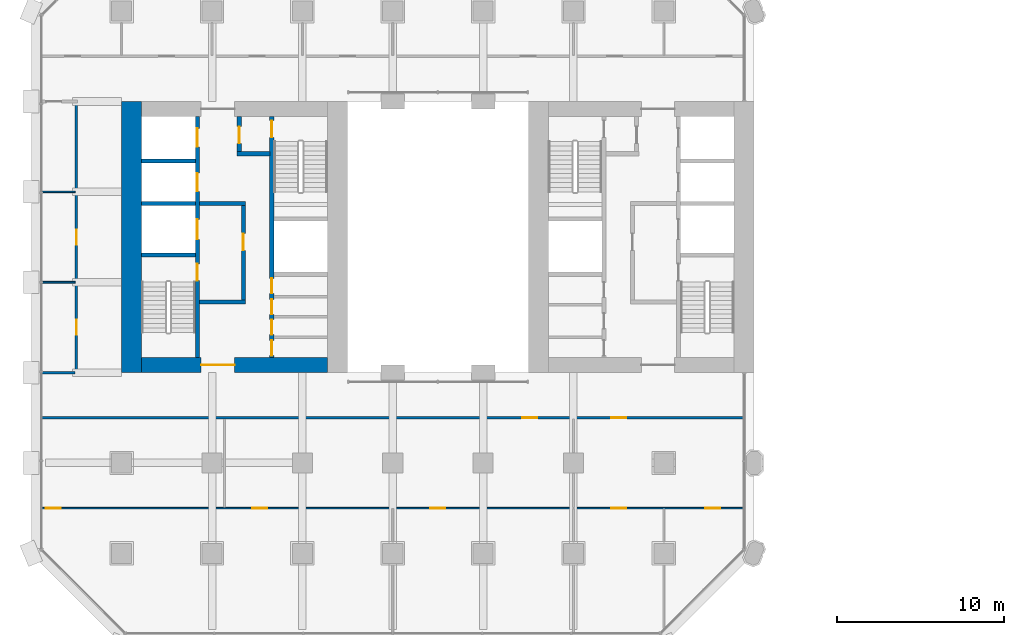
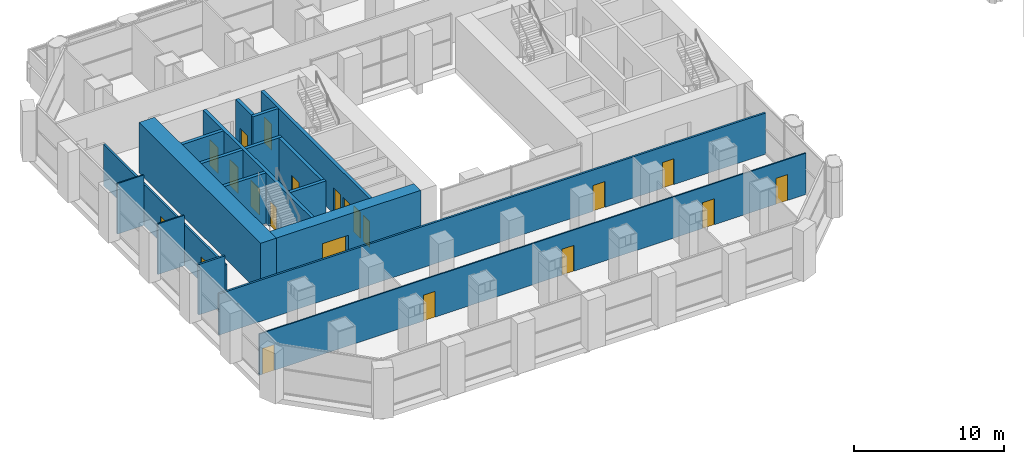
# One storey, part 13 of 23: 21 doors, 18 walls, 21 openings.
"""IFC4 building model written with IfcOpenShell, lengths in metres."""

from ifc_helpers import new_model, si_unit, direction, frame, frame_2d, origin, place, context, subcontext, project, spatial, rectangle, extrude, material, layer, layer_set, type_object, element, fill, save


model = new_model("IFC4")

# Units and contexts
model_context = context("Model", 3, precision=1e-05, world=origin(), true_north=direction((0.0, 1.0)))
body_context = subcontext(model_context, "Body", "Model", "MODEL_VIEW")
ifc_project = project(units=[si_unit("LENGTHUNIT", "METRE"), si_unit("AREAUNIT", "SQUARE_METRE"), si_unit("VOLUMEUNIT", "CUBIC_METRE"), si_unit("PLANEANGLEUNIT", "RADIAN"), si_unit("MASSUNIT", "GRAM", prefix="KILO")], contexts=[model_context])

# Site, building, storey
site_placement = place(None, origin())
site = spatial("IfcSite", under=ifc_project, at=site_placement, CompositionType="ELEMENT")
building_placement = place(site_placement, origin())
building = spatial("IfcBuilding", under=site, at=building_placement, Name="Tabaq Tower and Sports Hall", CompositionType="ELEMENT")
storey_placement = place(building_placement, frame((0.0, 0.0, 24.60009765625)))
storey = spatial("IfcBuildingStorey", under=building, at=storey_placement, Name="L04", CompositionType="ELEMENT", Elevation=24.60009765625)

# Wall
ifc_material_1 = material(Name="Concrete C60/75", Category="concrete")
ifc_layer_1 = layer(ifc_material_1, 1.199951171875)
ifc_layer_set_1 = layer_set([ifc_layer_1], Name="Core wall 1200 Concrete C60/75")
wall_type_1 = type_object("IfcWallType", Name="Core wall 1200 Concrete C60/75", PredefinedType="SOLIDWALL", material=ifc_layer_set_1)
wall_1_placement = place(storey_placement, frame((6.0, 16.199951171875, 0.0), z_axis=(0.0, 0.0, 1.0), x_axis=(0.0, 1.0, 0.0)))
element("IfcWall", 1, at=wall_1_placement, inside=storey, type_object=wall_type_1, Name="Core wall W L04", PredefinedType="SOLIDWALL", context=body_context, shape_type="SweptSolid", body=[
    extrude(rectangle(XDim=16.199951171875, YDim=1.199951171875, at=frame_2d((8.10009765625, 0.0))), origin(), (0.0, 0.0, 1.0), 4.099853515625),
])

# Wall, opening, door
ifc_material_2 = material(Name="Concrete C60/75", Category="concrete")
ifc_layer_2 = layer(ifc_material_2, 0.89990234375)
ifc_layer_set_2 = layer_set([ifc_layer_2], Name="Core wall 900 Concrete C60/75")
wall_type_2 = type_object("IfcWallType", Name="Core wall 900 Concrete C60/75", PredefinedType="SOLIDWALL", material=ifc_layer_set_2)
wall_2_placement = place(storey_placement, frame((17.699951171875, 16.64990234375, 0.0), z_axis=(0.0, 0.0, 1.0), x_axis=(-1.0, 0.0, 0.0)))
wall_2 = element("IfcWall", 2, at=wall_2_placement, inside=storey, type_object=wall_type_2, Name="Core wall W L04", PredefinedType="SOLIDWALL", context=body_context, shape_type="SweptSolid", body=[
    extrude(rectangle(XDim=11.099853515625, YDim=0.89990234375, at=frame_2d((5.5498046875, 0.0))), origin(), (0.0, 0.0, 1.0), 4.099853515625),
])
opening_1_placement = place(wall_2_placement, frame((5.550048828125, 0.0, 0.0)))
opening_1 = element("IfcOpeningElement", 3, at=opening_1_placement, cuts=wall_2, Name="Opening PD-WL04-01", PredefinedType="OPENING", context=body_context, shape_type="SweptSolid", body=[
    extrude(rectangle(XDim=2.0, YDim=2.39990234375, at=frame_2d((1.0, 1.199951171875))), frame((0.0, 0.449951171875, 0.0), z_axis=(0.0, -1.0, 0.0), x_axis=(1.0, 0.0, 0.0)), (0.0, 0.0, 1.0), 0.89990234375),
])
ifc_material_3 = material(Name="Steel fire door", Category="steel")
door_type_1 = type_object("IfcDoorType", Name="Core entrance door 2000", OperationType="DOUBLE_DOOR_SINGLE_SWING", PredefinedType="DOOR", material=ifc_material_3)
door_1_placement = place(opening_1_placement, origin())
door_1 = element("IfcDoor", 4, at=door_1_placement, inside=storey, type_object=door_type_1, Name="Core entrance south W L04", OperationType="DOUBLE_DOOR_SINGLE_SWING", OverallHeight=2.39990234375, OverallWidth=2.0, PredefinedType="DOOR", context=body_context, shape_type="SweptSolid", body=[
    extrude(rectangle(XDim=2.0, YDim=2.39990234375, at=frame_2d((1.0, 1.199951171875))), frame((0.0, 0.02490234375, 0.0), z_axis=(0.0, -1.0, 0.0), x_axis=(1.0, 0.0, 0.0)), (0.0, 0.0, 1.0), 0.050048828125),
])
fill(opening_1, door_1)

# Wall, openings, doors
ifc_material_4 = material(Name="Gypsum board on steel studs", Category="steel")
ifc_layer_3 = layer(ifc_material_4, 0.10009765625)
ifc_layer_set_3 = layer_set([ifc_layer_3], Name="Partition 100 Gypsum board")
wall_type_3 = type_object("IfcWallType", Name="Partition 100 Gypsum board", PredefinedType="PARTITIONING", material=ifc_layer_set_3)
wall_3_placement = place(storey_placement, frame((0.60009765625, 8.10009765625, 0.0), z_axis=(0.0, 0.0, 1.0), x_axis=(1.0, 0.0, 0.0)))
wall_3 = element("IfcWall", 5, at=wall_3_placement, inside=storey, type_object=wall_type_3, Name="Partition wall L04", PredefinedType="PARTITIONING", context=body_context, shape_type="SweptSolid", body=[
    extrude(rectangle(XDim=42.0, YDim=0.10009765625, at=frame_2d((21.0, 0.0))), origin(), (0.0, 0.0, 1.0), 3.349853515625),
])
opening_2_placement = place(wall_3_placement, frame((0.25, 0.0, 0.0)))
opening_2 = element("IfcOpeningElement", 6, at=opening_2_placement, cuts=wall_3, Name="Opening L04-011", PredefinedType="OPENING", context=body_context, shape_type="SweptSolid", body=[
    extrude(rectangle(XDim=0.89990234375, YDim=2.10009765625, at=frame_2d((0.449951171875, 1.050048828125))), frame((0.0, 0.050048828125, 0.0), z_axis=(0.0, -1.0, 0.0), x_axis=(1.0, 0.0, 0.0)), (0.0, 0.0, 1.0), 0.10009765625),
])
opening_3_placement = place(wall_3_placement, frame((23.25, 0.0, 0.0)))
opening_3 = element("IfcOpeningElement", 7, at=opening_3_placement, cuts=wall_3, Name="Opening L04-012", PredefinedType="OPENING", context=body_context, shape_type="SweptSolid", body=[
    extrude(rectangle(XDim=0.89990234375, YDim=2.10009765625, at=frame_2d((0.449951171875, 1.050048828125))), frame((0.0, 0.050048828125, 0.0), z_axis=(0.0, -1.0, 0.0), x_axis=(1.0, 0.0, 0.0)), (0.0, 0.0, 1.0), 0.10009765625),
])
opening_4_placement = place(wall_3_placement, frame((34.050048828125, 0.0, 0.0)))
opening_4 = element("IfcOpeningElement", 8, at=opening_4_placement, cuts=wall_3, Name="Opening L04-013", PredefinedType="OPENING", context=body_context, shape_type="SweptSolid", body=[
    extrude(rectangle(XDim=0.89990234375, YDim=2.10009765625, at=frame_2d((0.449951171875, 1.050048828125))), frame((0.0, 0.050048828125, 0.0), z_axis=(0.0, -1.0, 0.0), x_axis=(1.0, 0.0, 0.0)), (0.0, 0.0, 1.0), 0.10009765625),
])
opening_5_placement = place(wall_3_placement, frame((39.675048828125, 0.0, 0.0)))
opening_5 = element("IfcOpeningElement", 9, at=opening_5_placement, cuts=wall_3, Name="Opening L04-014", PredefinedType="OPENING", context=body_context, shape_type="SweptSolid", body=[
    extrude(rectangle(XDim=0.89990234375, YDim=2.10009765625, at=frame_2d((0.449951171875, 1.050048828125))), frame((0.0, 0.050048828125, 0.0), z_axis=(0.0, -1.0, 0.0), x_axis=(1.0, 0.0, 0.0)), (0.0, 0.0, 1.0), 0.10009765625),
])
opening_6_placement = place(wall_3_placement, frame((12.59375, 0.0, 0.0)))
opening_6 = element("IfcOpeningElement", 10, at=opening_6_placement, cuts=wall_3, Name="Opening L04-015", PredefinedType="OPENING", context=body_context, shape_type="SweptSolid", body=[
    extrude(rectangle(XDim=0.89990234375, YDim=2.10009765625, at=frame_2d((0.449951171875, 1.050048828125))), frame((0.0, 0.050048828125, 0.0), z_axis=(0.0, -1.0, 0.0), x_axis=(1.0, 0.0, 0.0)), (0.0, 0.0, 1.0), 0.10009765625),
])
ifc_material_5 = material(Name="Timber leaf in steel frame", Category="steel")
door_type_2 = type_object("IfcDoorType", Name="Internal door 900 left hand", OperationType="SINGLE_SWING_LEFT", PredefinedType="DOOR", material=ifc_material_5)
door_2_placement = place(opening_3_placement, origin())
door_2 = element("IfcDoor", 11, at=door_2_placement, inside=storey, type_object=door_type_2, Name="Internal door L04-012", OperationType="SINGLE_SWING_LEFT", OverallHeight=2.10009765625, OverallWidth=0.89990234375, PredefinedType="DOOR", context=body_context, shape_type="SweptSolid", body=[
    extrude(rectangle(XDim=0.89990234375, YDim=2.10009765625, at=frame_2d((0.449951171875, 1.050048828125))), frame((0.0, 0.02490234375, 0.0), z_axis=(0.0, -1.0, 0.0), x_axis=(1.0, 0.0, 0.0)), (0.0, 0.0, 1.0), 0.050048828125),
])
fill(opening_3, door_2)
door_3_placement = place(opening_4_placement, origin())
door_3 = element("IfcDoor", 12, at=door_3_placement, inside=storey, type_object=door_type_2, Name="Internal door L04-013", OperationType="SINGLE_SWING_LEFT", OverallHeight=2.10009765625, OverallWidth=0.89990234375, PredefinedType="DOOR", context=body_context, shape_type="SweptSolid", body=[
    extrude(rectangle(XDim=0.89990234375, YDim=2.10009765625, at=frame_2d((0.449951171875, 1.050048828125))), frame((0.0, 0.02490234375, 0.0), z_axis=(0.0, -1.0, 0.0), x_axis=(1.0, 0.0, 0.0)), (0.0, 0.0, 1.0), 0.050048828125),
])
fill(opening_4, door_3)
door_4_placement = place(opening_5_placement, origin())
door_4 = element("IfcDoor", 13, at=door_4_placement, inside=storey, type_object=door_type_2, Name="Internal door L04-014", OperationType="SINGLE_SWING_LEFT", OverallHeight=2.10009765625, OverallWidth=0.89990234375, PredefinedType="DOOR", context=body_context, shape_type="SweptSolid", body=[
    extrude(rectangle(XDim=0.89990234375, YDim=2.10009765625, at=frame_2d((0.449951171875, 1.050048828125))), frame((0.0, 0.02490234375, 0.0), z_axis=(0.0, -1.0, 0.0), x_axis=(1.0, 0.0, 0.0)), (0.0, 0.0, 1.0), 0.050048828125),
])
fill(opening_5, door_4)
door_5_placement = place(opening_6_placement, origin())
door_5 = element("IfcDoor", 14, at=door_5_placement, inside=storey, type_object=door_type_2, Name="Internal door L04-015", OperationType="SINGLE_SWING_LEFT", OverallHeight=2.10009765625, OverallWidth=0.89990234375, PredefinedType="DOOR", context=body_context, shape_type="SweptSolid", body=[
    extrude(rectangle(XDim=0.89990234375, YDim=2.10009765625, at=frame_2d((0.449951171875, 1.050048828125))), frame((0.0, 0.02490234375, 0.0), z_axis=(0.0, -1.0, 0.0), x_axis=(1.0, 0.0, 0.0)), (0.0, 0.0, 1.0), 0.050048828125),
])
fill(opening_6, door_5)
ifc_material_6 = material(Name="Timber leaf in steel frame", Category="steel")
door_type_3 = type_object("IfcDoorType", Name="Internal door 900 right hand", OperationType="SINGLE_SWING_RIGHT", PredefinedType="DOOR", material=ifc_material_6)
door_6_placement = place(opening_2_placement, origin())
door_6 = element("IfcDoor", 15, at=door_6_placement, inside=storey, type_object=door_type_3, Name="Internal door L04-011", OperationType="SINGLE_SWING_RIGHT", OverallHeight=2.10009765625, OverallWidth=0.89990234375, PredefinedType="DOOR", context=body_context, shape_type="SweptSolid", body=[
    extrude(rectangle(XDim=0.89990234375, YDim=2.10009765625, at=frame_2d((0.449951171875, 1.050048828125))), frame((0.0, 0.02490234375, 0.0), z_axis=(0.0, -1.0, 0.0), x_axis=(1.0, 0.0, 0.0)), (0.0, 0.0, 1.0), 0.050048828125),
])
fill(opening_2, door_6)

# Walls
for number, where, z_axis, x_axis, name in (
    (16, (2.625, 21.60009765625, 0.0), (0.0, 0.0, 1.0), (-1.0, 0.0, 0.0), "Partition wall L04"),
    (17, (2.625, 27.0, 0.0), (0.0, 0.0, 1.0), (-1.0, 0.0, 0.0), "Partition wall L04"),
):
    element("IfcWall", number, at=place(storey_placement, frame(where, z_axis=z_axis, x_axis=x_axis)), inside=storey, type_object=wall_type_3, Name=name, PredefinedType="PARTITIONING", context=body_context, shape_type="SweptSolid", body=[
        extrude(rectangle(XDim=2.02490234375, YDim=0.10009765625, at=frame_2d((1.012451171875, 0.0))), origin(), (0.0, 0.0, 1.0), 4.099853515625),
    ])

# Wall, openings, doors
ifc_material_7 = material(Name="Blockwork", Category="masonry")
ifc_layer_4 = layer(ifc_material_7, 0.14990234375)
ifc_layer_set_4 = layer_set([ifc_layer_4], Name="Separating wall 150 Blockwork")
wall_type_4 = type_object("IfcWallType", Name="Separating wall 150 Blockwork", PredefinedType="PARTITIONING", material=ifc_layer_set_4)
wall_4_placement = place(storey_placement, frame((2.699951171875, 32.324951171875, 0.0), z_axis=(0.0, 0.0, 1.0), x_axis=(0.0, -1.0, 0.0)))
wall_4 = element("IfcWall", 18, at=wall_4_placement, inside=storey, type_object=wall_type_4, Name="Separating wall L04", PredefinedType="PARTITIONING", context=body_context, shape_type="SweptSolid", body=[
    extrude(rectangle(XDim=16.199951171875, YDim=0.14990234375, at=frame_2d((8.10009765625, 0.0))), origin(), (0.0, 0.0, 1.0), 3.349853515625),
])
opening_7_placement = place(wall_4_placement, frame((12.97509765625, 0.0, 0.0)))
opening_7 = element("IfcOpeningElement", 19, at=opening_7_placement, cuts=wall_4, Name="Opening L04-008", PredefinedType="OPENING", context=body_context, shape_type="SweptSolid", body=[
    extrude(rectangle(XDim=0.89990234375, YDim=2.10009765625, at=frame_2d((0.449951171875, 1.050048828125))), frame((0.0, 0.074951171875, 0.0), z_axis=(0.0, -1.0, 0.0), x_axis=(1.0, 0.0, 0.0)), (0.0, 0.0, 1.0), 0.14990234375),
])
opening_8_placement = place(wall_4_placement, frame((7.574951171875, 0.0, 0.0)))
opening_8 = element("IfcOpeningElement", 20, at=opening_8_placement, cuts=wall_4, Name="Opening L04-009", PredefinedType="OPENING", context=body_context, shape_type="SweptSolid", body=[
    extrude(rectangle(XDim=0.89990234375, YDim=2.10009765625, at=frame_2d((0.449951171875, 1.050048828125))), frame((0.0, 0.074951171875, 0.0), z_axis=(0.0, -1.0, 0.0), x_axis=(1.0, 0.0, 0.0)), (0.0, 0.0, 1.0), 0.14990234375),
])
door_7_placement = place(opening_7_placement, origin())
door_7 = element("IfcDoor", 21, at=door_7_placement, inside=storey, type_object=door_type_3, Name="Internal door L04-008", OperationType="SINGLE_SWING_RIGHT", OverallHeight=2.10009765625, OverallWidth=0.89990234375, PredefinedType="DOOR", context=body_context, shape_type="SweptSolid", body=[
    extrude(rectangle(XDim=0.89990234375, YDim=2.10009765625, at=frame_2d((0.449951171875, 1.050048828125))), frame((0.0, 0.02490234375, 0.0), z_axis=(0.0, -1.0, 0.0), x_axis=(1.0, 0.0, 0.0)), (0.0, 0.0, 1.0), 0.050048828125),
])
fill(opening_7, door_7)
door_8_placement = place(opening_8_placement, origin())
door_8 = element("IfcDoor", 22, at=door_8_placement, inside=storey, type_object=door_type_3, Name="Internal door L04-009", OperationType="SINGLE_SWING_RIGHT", OverallHeight=2.10009765625, OverallWidth=0.89990234375, PredefinedType="DOOR", context=body_context, shape_type="SweptSolid", body=[
    extrude(rectangle(XDim=0.89990234375, YDim=2.10009765625, at=frame_2d((0.449951171875, 1.050048828125))), frame((0.0, 0.02490234375, 0.0), z_axis=(0.0, -1.0, 0.0), x_axis=(1.0, 0.0, 0.0)), (0.0, 0.0, 1.0), 0.050048828125),
])
fill(opening_8, door_8)

# Wall
wall_5_placement = place(storey_placement, frame((2.625, 16.199951171875, 0.0), z_axis=(0.0, 0.0, 1.0), x_axis=(-1.0, 0.0, 0.0)))
element("IfcWall", 23, at=wall_5_placement, inside=storey, type_object=wall_type_4, Name="Separating wall L04", PredefinedType="PARTITIONING", context=body_context, shape_type="SweptSolid", body=[
    extrude(rectangle(XDim=2.02490234375, YDim=0.14990234375, at=frame_2d((1.012451171875, 0.0))), origin(), (0.0, 0.0, 1.0), 4.099853515625),
])

# Wall, openings, doors
wall_6_placement = place(storey_placement, frame((0.60009765625, 13.5, 0.0), z_axis=(0.0, 0.0, 1.0), x_axis=(1.0, 0.0, 0.0)))
wall_6 = element("IfcWall", 24, at=wall_6_placement, inside=storey, type_object=wall_type_4, Name="Separating wall L04", PredefinedType="PARTITIONING", context=body_context, shape_type="SweptSolid", body=[
    extrude(rectangle(XDim=42.0, YDim=0.14990234375, at=frame_2d((21.0, 0.0))), origin(), (0.0, 0.0, 1.0), 3.349853515625),
])
opening_9_placement = place(wall_6_placement, frame((28.74365234375, 0.0, 0.0)))
opening_9 = element("IfcOpeningElement", 25, at=opening_9_placement, cuts=wall_6, Name="Opening L04-016", PredefinedType="OPENING", context=body_context, shape_type="SweptSolid", body=[
    extrude(rectangle(XDim=0.89990234375, YDim=2.10009765625, at=frame_2d((0.449951171875, 1.050048828125))), frame((0.0, 0.074951171875, 0.0), z_axis=(0.0, -1.0, 0.0), x_axis=(1.0, 0.0, 0.0)), (0.0, 0.0, 1.0), 0.14990234375),
])
opening_10_placement = place(wall_6_placement, frame((34.050048828125, 0.0, 0.0)))
opening_10 = element("IfcOpeningElement", 26, at=opening_10_placement, cuts=wall_6, Name="Opening L04-017", PredefinedType="OPENING", context=body_context, shape_type="SweptSolid", body=[
    extrude(rectangle(XDim=0.89990234375, YDim=2.10009765625, at=frame_2d((0.449951171875, 1.050048828125))), frame((0.0, 0.074951171875, 0.0), z_axis=(0.0, -1.0, 0.0), x_axis=(1.0, 0.0, 0.0)), (0.0, 0.0, 1.0), 0.14990234375),
])
ifc_material_8 = material(Name="Steel fire door", Category="steel")
door_type_4 = type_object("IfcDoorType", Name="Entrance door 900 right hand", OperationType="SINGLE_SWING_RIGHT", PredefinedType="DOOR", material=ifc_material_8)
door_9_placement = place(opening_9_placement, origin())
door_9 = element("IfcDoor", 27, at=door_9_placement, inside=storey, type_object=door_type_4, Name="Entrance door L04-016", OperationType="SINGLE_SWING_RIGHT", OverallHeight=2.10009765625, OverallWidth=0.89990234375, PredefinedType="DOOR", context=body_context, shape_type="SweptSolid", body=[
    extrude(rectangle(XDim=0.89990234375, YDim=2.10009765625, at=frame_2d((0.449951171875, 1.050048828125))), frame((0.0, 0.02490234375, 0.0), z_axis=(0.0, -1.0, 0.0), x_axis=(1.0, 0.0, 0.0)), (0.0, 0.0, 1.0), 0.050048828125),
])
fill(opening_9, door_9)
door_10_placement = place(opening_10_placement, origin())
door_10 = element("IfcDoor", 28, at=door_10_placement, inside=storey, type_object=door_type_4, Name="Entrance door L04-017", OperationType="SINGLE_SWING_RIGHT", OverallHeight=2.10009765625, OverallWidth=0.89990234375, PredefinedType="DOOR", context=body_context, shape_type="SweptSolid", body=[
    extrude(rectangle(XDim=0.89990234375, YDim=2.10009765625, at=frame_2d((0.449951171875, 1.050048828125))), frame((0.0, 0.02490234375, 0.0), z_axis=(0.0, -1.0, 0.0), x_axis=(1.0, 0.0, 0.0)), (0.0, 0.0, 1.0), 0.050048828125),
])
fill(opening_10, door_10)

ifc_material_9 = material(Name="Concrete C40/50", Category="concrete")
ifc_layer_5 = layer(ifc_material_9, 0.25)
ifc_layer_set_5 = layer_set([ifc_layer_5], Name="Shaft and stair wall 250 Concrete C40/50")
wall_type_5 = type_object("IfcWallType", Name="Shaft and stair wall 250 Concrete C40/50", PredefinedType="SOLIDWALL", material=ifc_layer_set_5)
wall_7_placement = place(storey_placement, frame((9.925048828125, 17.10009765625, 0.0), z_axis=(0.0, 0.0, 1.0), x_axis=(0.0, 1.0, 0.0)))
wall_7 = element("IfcWall", 29, at=wall_7_placement, inside=storey, type_object=wall_type_5, Name="Shaft wall W L04", PredefinedType="SOLIDWALL", context=body_context, shape_type="SweptSolid", body=[
    extrude(rectangle(XDim=14.39990234375, YDim=0.25, at=frame_2d((7.199951171875, 0.0))), origin(), (0.0, 0.0, 1.0), 4.099853515625),
])
opening_11_placement = place(wall_7_placement, frame((4.60009765625, 0.0, 0.0)))
opening_11 = element("IfcOpeningElement", 30, at=opening_11_placement, cuts=wall_7, Name="Opening SD-WL04-03", PredefinedType="OPENING", context=body_context, shape_type="SweptSolid", body=[
    extrude(rectangle(XDim=1.0, YDim=2.10009765625, at=frame_2d((0.5, 1.050048828125))), frame((0.0, 0.125, 0.0), z_axis=(0.0, -1.0, 0.0), x_axis=(1.0, 0.0, 0.0)), (0.0, 0.0, 1.0), 0.25),
])
opening_12_placement = place(wall_7_placement, frame((7.0625, 0.0, 0.0)))
opening_12 = element("IfcOpeningElement", 31, at=opening_12_placement, cuts=wall_7, Name="Opening LD-FF1-L04", PredefinedType="OPENING", context=body_context, shape_type="SweptSolid", body=[
    extrude(rectangle(XDim=1.199951171875, YDim=2.10009765625, at=frame_2d((0.60009765625, 1.050048828125))), frame((0.0, 0.125, 0.0), z_axis=(0.0, -1.0, 0.0), x_axis=(1.0, 0.0, 0.0)), (0.0, 0.0, 1.0), 0.25),
])
opening_13_placement = place(wall_7_placement, frame((9.925048828125, 0.0, 0.0)))
opening_13 = element("IfcOpeningElement", 32, at=opening_13_placement, cuts=wall_7, Name="Opening LD-LR1-L04", PredefinedType="OPENING", context=body_context, shape_type="SweptSolid", body=[
    extrude(rectangle(XDim=1.10009765625, YDim=2.10009765625, at=frame_2d((0.550048828125, 1.050048828125))), frame((0.0, 0.125, 0.0), z_axis=(0.0, -1.0, 0.0), x_axis=(1.0, 0.0, 0.0)), (0.0, 0.0, 1.0), 0.25),
])
opening_14_placement = place(wall_7_placement, frame((12.58740234375, 0.0, 0.0)))
opening_14 = element("IfcOpeningElement", 33, at=opening_14_placement, cuts=wall_7, Name="Opening LD-LR2-L04", PredefinedType="OPENING", context=body_context, shape_type="SweptSolid", body=[
    extrude(rectangle(XDim=1.10009765625, YDim=2.10009765625, at=frame_2d((0.550048828125, 1.050048828125))), frame((0.0, 0.125, 0.0), z_axis=(0.0, -1.0, 0.0), x_axis=(1.0, 0.0, 0.0)), (0.0, 0.0, 1.0), 0.25),
])
ifc_material_10 = material(Name="Stainless steel", Category="steel")
door_type_5 = type_object("IfcDoorType", Name="Lift landing door 1100", OperationType="DOUBLE_DOOR_SLIDING", PredefinedType="DOOR", material=ifc_material_10)
door_11_placement = place(opening_13_placement, origin())
door_11 = element("IfcDoor", 34, at=door_11_placement, inside=storey, type_object=door_type_5, Name="Lift landing door LR1 W L04", OperationType="DOUBLE_DOOR_SLIDING", OverallHeight=2.10009765625, OverallWidth=1.10009765625, PredefinedType="DOOR", context=body_context, shape_type="SweptSolid", body=[
    extrude(rectangle(XDim=1.10009765625, YDim=2.10009765625, at=frame_2d((0.550048828125, 1.050048828125))), frame((0.0, 0.02490234375, 0.0), z_axis=(0.0, -1.0, 0.0), x_axis=(1.0, 0.0, 0.0)), (0.0, 0.0, 1.0), 0.050048828125),
])
fill(opening_13, door_11)
door_12_placement = place(opening_14_placement, origin())
door_12 = element("IfcDoor", 35, at=door_12_placement, inside=storey, type_object=door_type_5, Name="Lift landing door LR2 W L04", OperationType="DOUBLE_DOOR_SLIDING", OverallHeight=2.10009765625, OverallWidth=1.10009765625, PredefinedType="DOOR", context=body_context, shape_type="SweptSolid", body=[
    extrude(rectangle(XDim=1.10009765625, YDim=2.10009765625, at=frame_2d((0.550048828125, 1.050048828125))), frame((0.0, 0.02490234375, 0.0), z_axis=(0.0, -1.0, 0.0), x_axis=(1.0, 0.0, 0.0)), (0.0, 0.0, 1.0), 0.050048828125),
])
fill(opening_14, door_12)
ifc_material_11 = material(Name="Stainless steel", Category="steel")
door_type_6 = type_object("IfcDoorType", Name="Lift landing door 1200", OperationType="DOUBLE_DOOR_SLIDING", PredefinedType="DOOR", material=ifc_material_11)
door_13_placement = place(opening_12_placement, origin())
door_13 = element("IfcDoor", 36, at=door_13_placement, inside=storey, type_object=door_type_6, Name="Lift landing door FF1 W L04", OperationType="DOUBLE_DOOR_SLIDING", OverallHeight=2.10009765625, OverallWidth=1.199951171875, PredefinedType="DOOR", context=body_context, shape_type="SweptSolid", body=[
    extrude(rectangle(XDim=1.199951171875, YDim=2.10009765625, at=frame_2d((0.60009765625, 1.050048828125))), frame((0.0, 0.02490234375, 0.0), z_axis=(0.0, -1.0, 0.0), x_axis=(1.0, 0.0, 0.0)), (0.0, 0.0, 1.0), 0.050048828125),
])
fill(opening_12, door_13)
ifc_material_12 = material(Name="Steel fire door", Category="steel")
door_type_7 = type_object("IfcDoorType", Name="Stair door 1000", OperationType="SINGLE_SWING_LEFT", PredefinedType="DOOR", material=ifc_material_12)
door_14_placement = place(opening_11_placement, origin())
door_14 = element("IfcDoor", 37, at=door_14_placement, inside=storey, type_object=door_type_7, Name="Stair door ST1 W L04", OperationType="SINGLE_SWING_LEFT", OverallHeight=2.10009765625, OverallWidth=1.0, PredefinedType="DOOR", context=body_context, shape_type="SweptSolid", body=[
    extrude(rectangle(XDim=1.0, YDim=2.10009765625, at=frame_2d((0.5, 1.050048828125))), frame((0.0, 0.02490234375, 0.0), z_axis=(0.0, -1.0, 0.0), x_axis=(1.0, 0.0, 0.0)), (0.0, 0.0, 1.0), 0.050048828125),
])
fill(opening_11, door_14)

wall_8_placement = place(storey_placement, frame((14.375, 17.10009765625, 0.0), z_axis=(0.0, 0.0, 1.0), x_axis=(0.0, 1.0, 0.0)))
wall_8 = element("IfcWall", 38, at=wall_8_placement, inside=storey, type_object=wall_type_5, Name="Shaft wall W L04", PredefinedType="SOLIDWALL", context=body_context, shape_type="SweptSolid", body=[
    extrude(rectangle(XDim=14.39990234375, YDim=0.25, at=frame_2d((7.199951171875, 0.0))), origin(), (0.0, 0.0, 1.0), 4.099853515625),
])
opening_15_placement = place(wall_8_placement, frame((13.14990234375, 0.0, 0.0)))
opening_15 = element("IfcOpeningElement", 39, at=opening_15_placement, cuts=wall_8, Name="Opening SD-WL04-05", PredefinedType="OPENING", context=body_context, shape_type="SweptSolid", body=[
    extrude(rectangle(XDim=1.0, YDim=2.10009765625, at=frame_2d((0.5, 1.050048828125))), frame((0.0, 0.125, 0.0), z_axis=(0.0, -1.0, 0.0), x_axis=(1.0, 0.0, 0.0)), (0.0, 0.0, 1.0), 0.25),
])
opening_16_placement = place(wall_8_placement, frame((0.118408203125, 0.0, 0.0)))
opening_16 = element("IfcOpeningElement", 40, at=opening_16_placement, cuts=wall_8, Name="Opening RD-WL04-10", PredefinedType="OPENING", context=body_context, shape_type="SweptSolid", body=[
    extrude(rectangle(XDim=0.89990234375, YDim=2.10009765625, at=frame_2d((0.449951171875, 1.050048828125))), frame((0.0, 0.125, 0.0), z_axis=(0.0, -1.0, 0.0), x_axis=(1.0, 0.0, 0.0)), (0.0, 0.0, 1.0), 0.25),
])
opening_17_placement = place(wall_8_placement, frame((1.368408203125, 0.0, 0.0)))
opening_17 = element("IfcOpeningElement", 41, at=opening_17_placement, cuts=wall_8, Name="Opening RD-WL04-11", PredefinedType="OPENING", context=body_context, shape_type="SweptSolid", body=[
    extrude(rectangle(XDim=0.89990234375, YDim=2.10009765625, at=frame_2d((0.449951171875, 1.050048828125))), frame((0.0, 0.125, 0.0), z_axis=(0.0, -1.0, 0.0), x_axis=(1.0, 0.0, 0.0)), (0.0, 0.0, 1.0), 0.25),
])
opening_18_placement = place(wall_8_placement, frame((2.5810546875, 0.0, 0.0)))
opening_18 = element("IfcOpeningElement", 42, at=opening_18_placement, cuts=wall_8, Name="Opening RD-WL04-12", PredefinedType="OPENING", context=body_context, shape_type="SweptSolid", body=[
    extrude(rectangle(XDim=0.89990234375, YDim=2.10009765625, at=frame_2d((0.449951171875, 1.050048828125))), frame((0.0, 0.125, 0.0), z_axis=(0.0, -1.0, 0.0), x_axis=(1.0, 0.0, 0.0)), (0.0, 0.0, 1.0), 0.25),
])
opening_19_placement = place(wall_8_placement, frame((3.8310546875, 0.0, 0.0)))
opening_19 = element("IfcOpeningElement", 43, at=opening_19_placement, cuts=wall_8, Name="Opening RD-WL04-13", PredefinedType="OPENING", context=body_context, shape_type="SweptSolid", body=[
    extrude(rectangle(XDim=0.89990234375, YDim=2.10009765625, at=frame_2d((0.449951171875, 1.050048828125))), frame((0.0, 0.125, 0.0), z_axis=(0.0, -1.0, 0.0), x_axis=(1.0, 0.0, 0.0)), (0.0, 0.0, 1.0), 0.25),
])
ifc_material_13 = material(Name="Steel fire door", Category="steel")
door_type_8 = type_object("IfcDoorType", Name="Core room door 900", OperationType="SINGLE_SWING_LEFT", PredefinedType="DOOR", material=ifc_material_13)
door_15_placement = place(opening_16_placement, origin())
door_15 = element("IfcDoor", 44, at=door_15_placement, inside=storey, type_object=door_type_8, Name="Door Cleaner's Store W L04", OperationType="SINGLE_SWING_LEFT", OverallHeight=2.10009765625, OverallWidth=0.89990234375, PredefinedType="DOOR", context=body_context, shape_type="SweptSolid", body=[
    extrude(rectangle(XDim=0.89990234375, YDim=2.10009765625, at=frame_2d((0.449951171875, 1.050048828125))), frame((0.0, 0.02490234375, 0.0), z_axis=(0.0, -1.0, 0.0), x_axis=(1.0, 0.0, 0.0)), (0.0, 0.0, 1.0), 0.050048828125),
])
fill(opening_16, door_15)
door_16_placement = place(opening_17_placement, origin())
door_16 = element("IfcDoor", 45, at=door_16_placement, inside=storey, type_object=door_type_8, Name="Door Gents WC W L04", OperationType="SINGLE_SWING_LEFT", OverallHeight=2.10009765625, OverallWidth=0.89990234375, PredefinedType="DOOR", context=body_context, shape_type="SweptSolid", body=[
    extrude(rectangle(XDim=0.89990234375, YDim=2.10009765625, at=frame_2d((0.449951171875, 1.050048828125))), frame((0.0, 0.02490234375, 0.0), z_axis=(0.0, -1.0, 0.0), x_axis=(1.0, 0.0, 0.0)), (0.0, 0.0, 1.0), 0.050048828125),
])
fill(opening_17, door_16)
door_17_placement = place(opening_18_placement, origin())
door_17 = element("IfcDoor", 46, at=door_17_placement, inside=storey, type_object=door_type_8, Name="Door Ladies WC W L04", OperationType="SINGLE_SWING_LEFT", OverallHeight=2.10009765625, OverallWidth=0.89990234375, PredefinedType="DOOR", context=body_context, shape_type="SweptSolid", body=[
    extrude(rectangle(XDim=0.89990234375, YDim=2.10009765625, at=frame_2d((0.449951171875, 1.050048828125))), frame((0.0, 0.02490234375, 0.0), z_axis=(0.0, -1.0, 0.0), x_axis=(1.0, 0.0, 0.0)), (0.0, 0.0, 1.0), 0.050048828125),
])
fill(opening_18, door_17)
door_18_placement = place(opening_19_placement, origin())
door_18 = element("IfcDoor", 47, at=door_18_placement, inside=storey, type_object=door_type_8, Name="Door Accessible WC W L04", OperationType="SINGLE_SWING_LEFT", OverallHeight=2.10009765625, OverallWidth=0.89990234375, PredefinedType="DOOR", context=body_context, shape_type="SweptSolid", body=[
    extrude(rectangle(XDim=0.89990234375, YDim=2.10009765625, at=frame_2d((0.449951171875, 1.050048828125))), frame((0.0, 0.02490234375, 0.0), z_axis=(0.0, -1.0, 0.0), x_axis=(1.0, 0.0, 0.0)), (0.0, 0.0, 1.0), 0.050048828125),
])
fill(opening_19, door_18)
door_19_placement = place(opening_15_placement, origin())
door_19 = element("IfcDoor", 48, at=door_19_placement, inside=storey, type_object=door_type_7, Name="Stair door ST2 W L04", OperationType="SINGLE_SWING_LEFT", OverallHeight=2.10009765625, OverallWidth=1.0, PredefinedType="DOOR", context=body_context, shape_type="SweptSolid", body=[
    extrude(rectangle(XDim=1.0, YDim=2.10009765625, at=frame_2d((0.5, 1.050048828125))), frame((0.0, 0.02490234375, 0.0), z_axis=(0.0, -1.0, 0.0), x_axis=(1.0, 0.0, 0.0)), (0.0, 0.0, 1.0), 0.050048828125),
])
fill(opening_15, door_19)

# Walls
for number, where, z_axis, x_axis, name in (
    (49, (6.60009765625, 23.22509765625, 0.0), (0.0, 0.0, 1.0), (1.0, 0.0, 0.0), "Stair enclosure wall W L04"),
    (50, (6.60009765625, 26.300048828125, 0.0), (0.0, 0.0, 1.0), (1.0, 0.0, 0.0), "Shaft wall W L04"),
):
    element("IfcWall", number, at=place(storey_placement, frame(where, z_axis=z_axis, x_axis=x_axis)), inside=storey, type_object=wall_type_5, Name=name, PredefinedType="SOLIDWALL", context=body_context, shape_type="SweptSolid", body=[
        extrude(rectangle(XDim=3.199951171875, YDim=0.25, at=frame_2d((1.60009765625, 0.0))), origin(), (0.0, 0.0, 1.0), 4.099853515625),
    ])
for number, where, z_axis, x_axis, name in (
    (51, (10.050048828125, 26.300048828125, 0.0), (0.0, 0.0, 1.0), (1.0, 0.0, 0.0), "Fire-fighting lobby wall W L04"),
    (52, (10.050048828125, 20.425048828125, 0.0), (0.0, 0.0, 1.0), (1.0, 0.0, 0.0), "Fire-fighting lobby wall W L04"),
):
    element("IfcWall", number, at=place(storey_placement, frame(where, z_axis=z_axis, x_axis=x_axis)), inside=storey, type_object=wall_type_5, Name=name, PredefinedType="SOLIDWALL", context=body_context, shape_type="SweptSolid", body=[
        extrude(rectangle(XDim=2.75, YDim=0.25, at=frame_2d((1.375, 0.0))), origin(), (0.0, 0.0, 1.0), 4.099853515625),
    ])

# Wall, opening, door
wall_9_placement = place(storey_placement, frame((12.425048828125, 29.39990234375, 0.0), z_axis=(0.0, 0.0, 1.0), x_axis=(0.0, 1.0, 0.0)))
wall_9 = element("IfcWall", 53, at=wall_9_placement, inside=storey, type_object=wall_type_5, Name="Fire-fighting lobby wall W L04", PredefinedType="SOLIDWALL", context=body_context, shape_type="SweptSolid", body=[
    extrude(rectangle(XDim=2.10009765625, YDim=0.25, at=frame_2d((1.050048828125, 0.0))), origin(), (0.0, 0.0, 1.0), 4.099853515625),
])
opening_20_placement = place(wall_9_placement, frame((0.5, 0.0, 0.0)))
opening_20 = element("IfcOpeningElement", 54, at=opening_20_placement, cuts=wall_9, Name="Opening FD-WL04-06", PredefinedType="OPENING", context=body_context, shape_type="SweptSolid", body=[
    extrude(rectangle(XDim=1.0, YDim=2.10009765625, at=frame_2d((0.5, 1.050048828125))), frame((0.0, 0.125, 0.0), z_axis=(0.0, -1.0, 0.0), x_axis=(1.0, 0.0, 0.0)), (0.0, 0.0, 1.0), 0.25),
])
ifc_material_14 = material(Name="Steel fire door", Category="steel")
door_type_9 = type_object("IfcDoorType", Name="Fire-fighting lobby door 1000", OperationType="SINGLE_SWING_LEFT", PredefinedType="DOOR", material=ifc_material_14)
door_20_placement = place(opening_20_placement, origin())
door_20 = element("IfcDoor", 55, at=door_20_placement, inside=storey, type_object=door_type_9, Name="Stair lobby door W L04", OperationType="SINGLE_SWING_LEFT", OverallHeight=2.10009765625, OverallWidth=1.0, PredefinedType="DOOR", context=body_context, shape_type="SweptSolid", body=[
    extrude(rectangle(XDim=1.0, YDim=2.10009765625, at=frame_2d((0.5, 1.050048828125))), frame((0.0, 0.02490234375, 0.0), z_axis=(0.0, -1.0, 0.0), x_axis=(1.0, 0.0, 0.0)), (0.0, 0.0, 1.0), 0.050048828125),
])
fill(opening_20, door_20)

# Wall
wall_10_placement = place(storey_placement, frame((12.300048828125, 29.27490234375, 0.0), z_axis=(0.0, 0.0, 1.0), x_axis=(1.0, 0.0, 0.0)))
element("IfcWall", 56, at=wall_10_placement, inside=storey, type_object=wall_type_5, Name="Fire-fighting lobby wall W L04", PredefinedType="SOLIDWALL", context=body_context, shape_type="SweptSolid", body=[
    extrude(rectangle(XDim=1.949951171875, YDim=0.25, at=frame_2d((0.97509765625, 0.0))), origin(), (0.0, 0.0, 1.0), 4.099853515625),
])

# Wall, opening, door
wall_11_placement = place(storey_placement, frame((12.675048828125, 20.550048828125, 0.0), z_axis=(0.0, 0.0, 1.0), x_axis=(0.0, 1.0, 0.0)))
wall_11 = element("IfcWall", 57, at=wall_11_placement, inside=storey, type_object=wall_type_5, Name="Fire-fighting lobby wall W L04", PredefinedType="SOLIDWALL", context=body_context, shape_type="SweptSolid", body=[
    extrude(rectangle(XDim=5.625, YDim=0.25, at=frame_2d((2.8125, 0.0))), origin(), (0.0, 0.0, 1.0), 4.099853515625),
])
opening_21_placement = place(wall_11_placement, frame((2.949951171875, 0.0, 0.0)))
opening_21 = element("IfcOpeningElement", 58, at=opening_21_placement, cuts=wall_11, Name="Opening FD-WL04-04", PredefinedType="OPENING", context=body_context, shape_type="SweptSolid", body=[
    extrude(rectangle(XDim=1.0, YDim=2.10009765625, at=frame_2d((0.5, 1.050048828125))), frame((0.0, 0.125, 0.0), z_axis=(0.0, -1.0, 0.0), x_axis=(1.0, 0.0, 0.0)), (0.0, 0.0, 1.0), 0.25),
])
door_21_placement = place(opening_21_placement, origin())
door_21 = element("IfcDoor", 59, at=door_21_placement, inside=storey, type_object=door_type_9, Name="Fire-fighting lobby door W L04", OperationType="SINGLE_SWING_LEFT", OverallHeight=2.10009765625, OverallWidth=1.0, PredefinedType="DOOR", context=body_context, shape_type="SweptSolid", body=[
    extrude(rectangle(XDim=1.0, YDim=2.10009765625, at=frame_2d((0.5, 1.050048828125))), frame((0.0, 0.02490234375, 0.0), z_axis=(0.0, -1.0, 0.0), x_axis=(1.0, 0.0, 0.0)), (0.0, 0.0, 1.0), 0.050048828125),
])
fill(opening_21, door_21)

# Wall
wall_12_placement = place(storey_placement, frame((6.60009765625, 28.85009765625, 0.0), z_axis=(0.0, 0.0, 1.0), x_axis=(1.0, 0.0, 0.0)))
element("IfcWall", 60, at=wall_12_placement, inside=storey, type_object=wall_type_5, Name="Shaft wall W L04", PredefinedType="SOLIDWALL", context=body_context, shape_type="SweptSolid", body=[
    extrude(rectangle(XDim=3.199951171875, YDim=0.25, at=frame_2d((1.60009765625, 0.0))), origin(), (0.0, 0.0, 1.0), 4.099853515625),
])

save(model, "model.ifc")
